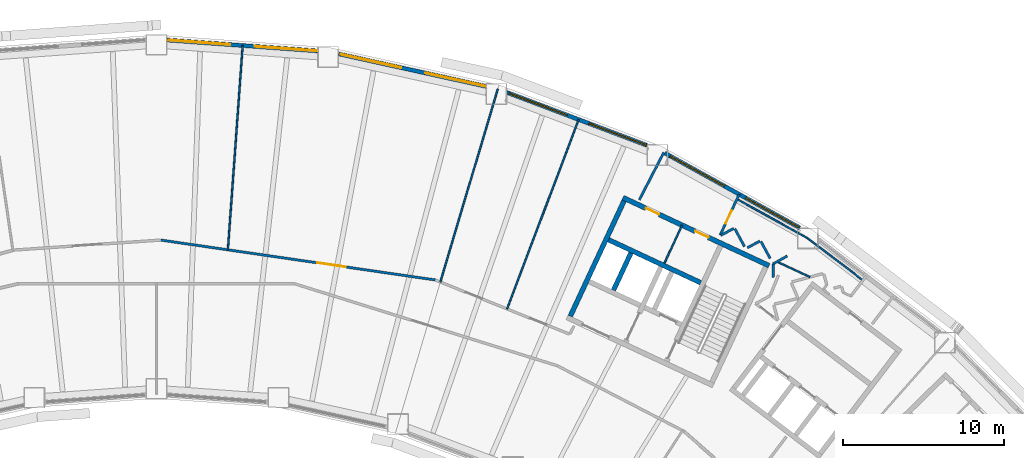
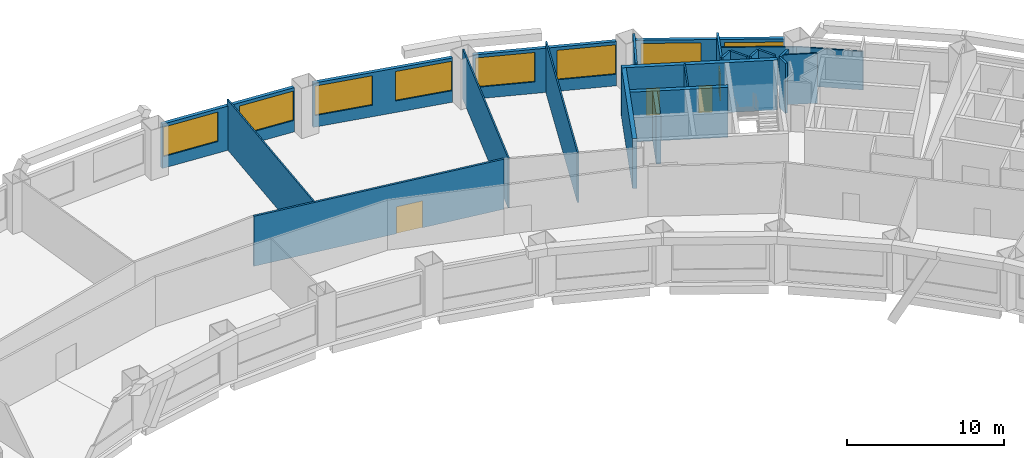
# One storey, part 8 of 11: 24 walls, 8 windows, 4 doors, 12 openings.
"""IFC4 building model written with IfcOpenShell, lengths in metres."""

from ifc_helpers import new_model, si_unit, direction, frame, frame_2d, origin, place, context, subcontext, project, spatial, rectangle, extrude, material, layer, layer_set, type_object, element, fill, save


model = new_model("IFC4")

# Units and contexts
model_context = context("Model", 3, precision=1e-05, world=origin(), true_north=direction((0.0, 1.0)))
body_context = subcontext(model_context, "Body", "Model", "MODEL_VIEW")
ifc_project = project(units=[si_unit("LENGTHUNIT", "METRE"), si_unit("AREAUNIT", "SQUARE_METRE"), si_unit("VOLUMEUNIT", "CUBIC_METRE"), si_unit("PLANEANGLEUNIT", "RADIAN"), si_unit("MASSUNIT", "GRAM", prefix="KILO")], contexts=[model_context])

# Site, building, storey
site_placement = place(None, origin())
site = spatial("IfcSite", under=ifc_project, at=site_placement, CompositionType="ELEMENT")
building_placement = place(site_placement, origin())
building = spatial("IfcBuilding", under=site, at=building_placement, Name="Tuul Gate Civic Tower", CompositionType="ELEMENT")
storey_placement = place(building_placement, frame((0.0, 0.0, 35.699951171875)))
storey = spatial("IfcBuildingStorey", under=building, at=storey_placement, Name="Level 07", CompositionType="ELEMENT", Elevation=35.699951171875)

# Wall
ifc_material_1 = material(Name="Concrete C50/60", Category="concrete")
ifc_layer_1 = layer(ifc_material_1, 0.300048828125)
ifc_layer_set_1 = layer_set([ifc_layer_1], Name="Concrete C50/60")
wall_type_1 = type_object("IfcWallType", Name="Core wall C50/60", PredefinedType="SHEAR", material=ifc_layer_set_1)
wall_1_placement = place(storey_placement, frame((33.75, -0.873779296875, 0.0), z_axis=(0.0, 0.0, 1.0), x_axis=(-0.906300917592, 0.422632992999, 0.0)))
element("IfcWall", 1, at=wall_1_placement, inside=storey, type_object=wall_type_1, Name="Core wall", PredefinedType="SHEAR", context=body_context, shape_type="SweptSolid", body=[
    extrude(rectangle(XDim=6.300048828125, YDim=0.300048828125, at=frame_2d((3.14990234375, 0.0))), origin(), (0.0, 0.0, 1.0), 3.900146484375),
])

# Wall, openings, doors
wall_2_placement = place(storey_placement, frame((37.993408203125, 0.181884765625, 0.0), z_axis=(0.0, 0.0, 1.0), x_axis=(-0.906310338845, 0.422612789327, 0.0)))
wall_2 = element("IfcWall", 2, at=wall_2_placement, inside=storey, type_object=wall_type_1, Name="Core wall", PredefinedType="SHEAR", context=body_context, shape_type="SweptSolid", body=[
    extrude(rectangle(XDim=9.999755859375, YDim=0.300048828125, at=frame_2d((5.0, 0.0))), origin(), (0.0, 0.0, 1.0), 3.900146484375),
])
opening_1_placement = place(wall_2_placement, frame((4.14990234375, 0.0, 0.0)))
opening_1 = element("IfcOpeningElement", 3, at=opening_1_placement, cuts=wall_2, Name="Opening A-D24", PredefinedType="OPENING", context=body_context, shape_type="SweptSolid", body=[
    extrude(rectangle(XDim=0.89990234375, YDim=2.10009765625, at=frame_2d((0.449951171875, 1.050048828125))), frame((0.0, 0.16015625, 0.0), z_axis=(0.0, -1.0, 0.0), x_axis=(1.0, 0.0, 0.0)), (0.0, 0.0, 1.0), 0.320068359375),
])
opening_2_placement = place(wall_2_placement, frame((7.52490234375, 0.0, 0.0)))
opening_2 = element("IfcOpeningElement", 4, at=opening_2_placement, cuts=wall_2, Name="Opening A-D25", PredefinedType="OPENING", context=body_context, shape_type="SweptSolid", body=[
    extrude(rectangle(XDim=0.89990234375, YDim=2.10009765625, at=frame_2d((0.449951171875, 1.050048828125))), frame((0.0, 0.16015625, 0.0), z_axis=(0.0, -1.0, 0.0), x_axis=(1.0, 0.0, 0.0)), (0.0, 0.0, 1.0), 0.320068359375),
])
ifc_material_2 = material(Name="Timber door leaf", Category="wood")
door_type_1 = type_object("IfcDoorType", Name="Door D09", OperationType="NOTDEFINED", PredefinedType="DOOR", material=ifc_material_2)
door_1_placement = place(opening_1_placement, origin())
door_1 = element("IfcDoor", 5, at=door_1_placement, inside=storey, type_object=door_type_1, Name="Door A-D24", OperationType="SINGLE_SWING_LEFT", OverallHeight=2.10009765625, OverallWidth=0.89990234375, PredefinedType="DOOR", context=body_context, shape_type="SweptSolid", body=[
    extrude(rectangle(XDim=0.89990234375, YDim=2.10009765625, at=frame_2d((0.449951171875, 1.050048828125))), frame((0.0, 0.02490234375, 0.0), z_axis=(0.0, -1.0, 0.0), x_axis=(1.0, 0.0, 0.0)), (0.0, 0.0, 1.0), 0.050048828125),
])
fill(opening_1, door_1)
door_2_placement = place(opening_2_placement, origin())
door_2 = element("IfcDoor", 6, at=door_2_placement, inside=storey, type_object=door_type_1, Name="Door A-D25", OperationType="SINGLE_SWING_RIGHT", OverallHeight=2.10009765625, OverallWidth=0.89990234375, PredefinedType="DOOR", context=body_context, shape_type="SweptSolid", body=[
    extrude(rectangle(XDim=0.89990234375, YDim=2.10009765625, at=frame_2d((0.449951171875, 1.050048828125))), frame((0.0, 0.02490234375, 0.0), z_axis=(0.0, -1.0, 0.0), x_axis=(1.0, 0.0, 0.0)), (0.0, 0.0, 1.0), 0.050048828125),
])
fill(opening_2, door_2)

# Walls
wall_3_placement = place(storey_placement, frame((28.349365234375, -1.33447265625, 0.0), z_axis=(0.0, 0.0, 1.0), x_axis=(0.422612891016, 0.906310291427, 0.0)))
element("IfcWall", 7, at=wall_3_placement, inside=storey, type_object=wall_type_1, Name="Core wall", PredefinedType="SHEAR", context=body_context, shape_type="SweptSolid", body=[
    extrude(rectangle(XDim=2.550048828125, YDim=0.300048828125, at=frame_2d((1.27490234375, 0.0))), origin(), (0.0, 0.0, 1.0), 3.900146484375),
])
wall_4_placement = place(storey_placement, frame((25.66455078125, -2.951416015625, 0.0), z_axis=(0.0, 0.0, 1.0), x_axis=(0.422582604137, 0.906324413596, 0.0)))
element("IfcWall", 8, at=wall_4_placement, inside=storey, type_object=wall_type_1, Name="Core wall", PredefinedType="SHEAR", context=body_context, shape_type="SweptSolid", body=[
    extrude(rectangle(XDim=7.89990234375, YDim=0.300048828125, at=frame_2d((3.949951171875, 0.0))), origin(), (0.0, 0.0, 1.0), 3.900146484375),
])
ifc_material_3 = material(Name="Gypsum board partition")
ifc_layer_2 = layer(ifc_material_3, 0.14990234375)
ifc_layer_set_2 = layer_set([ifc_layer_2], Name="Gypsum board partition")
wall_type_2 = type_object("IfcWallType", Name="Corridor wall P150", PredefinedType="PARTITIONING", material=ifc_layer_set_2)
wall_5_placement = place(storey_placement, frame((38.24365234375, 0.294189453125, 0.0), z_axis=(0.0, 0.0, 1.0), x_axis=(0.872634875063, 0.488373192163, 0.0)))
element("IfcWall", 9, at=wall_5_placement, inside=storey, type_object=wall_type_2, Name="p017", PredefinedType="PARTITIONING", context=body_context, shape_type="SweptSolid", body=[
    extrude(rectangle(XDim=1.001220703125, YDim=0.14990234375, at=frame_2d((0.50048828125, 0.0))), origin(), (0.0, 0.0, 1.0), 3.900146484375),
])
wall_6_placement = place(storey_placement, frame((37.488525390625, 1.689208984375, 0.0), z_axis=(0.0, 0.0, 1.0), x_axis=(0.476165599741, -0.879355628641, 0.0)))
element("IfcWall", 10, at=wall_6_placement, inside=storey, type_object=wall_type_2, Name="p019", PredefinedType="PARTITIONING", context=body_context, shape_type="SweptSolid", body=[
    extrude(rectangle(XDim=1.204345703125, YDim=0.14990234375, at=frame_2d((0.60205078125, 0.0))), origin(), (0.0, 0.0, 1.0), 3.900146484375),
])
wall_7_placement = place(storey_placement, frame((38.24365234375, 0.294189453125, 0.0), z_axis=(0.0, 0.0, 1.0), x_axis=(0.007667129397, -0.999970607131, 0.0)))
element("IfcWall", 11, at=wall_7_placement, inside=storey, type_object=wall_type_2, Name="p020", PredefinedType="PARTITIONING", context=body_context, shape_type="SweptSolid", body=[
    extrude(rectangle(XDim=0.827880859375, YDim=0.14990234375, at=frame_2d((0.4140625, 0.0))), origin(), (0.0, 0.0, 1.0), 3.900146484375),
])
wall_8_placement = place(storey_placement, frame((36.645751953125, 1.29052734375, 0.0), z_axis=(0.0, 0.0, 1.0), x_axis=(0.879490194501, 0.475917007236, 0.0)))
element("IfcWall", 12, at=wall_8_placement, inside=storey, type_object=wall_type_2, Name="p021", PredefinedType="PARTITIONING", context=body_context, shape_type="SweptSolid", body=[
    extrude(rectangle(XDim=0.880859375, YDim=0.14990234375, at=frame_2d((0.4404296875, 0.0))), origin(), (0.0, 0.0, 1.0), 3.900146484375),
])
wall_9_placement = place(storey_placement, frame((35.87109375, 2.476806640625, 0.0), z_axis=(0.0, 0.0, 1.0), x_axis=(0.475121766524, -0.87992005715, 0.0)))
element("IfcWall", 13, at=wall_9_placement, inside=storey, type_object=wall_type_2, Name="p022", PredefinedType="PARTITIONING", context=body_context, shape_type="SweptSolid", body=[
    extrude(rectangle(XDim=1.253173828125, YDim=0.14990234375, at=frame_2d((0.62646484375, 0.0))), origin(), (0.0, 0.0, 1.0), 3.900146484375),
])
wall_10_placement = place(storey_placement, frame((34.99462890625, 2.060546875, 0.0), z_axis=(0.0, 0.0, 1.0), x_axis=(0.879787612681, 0.475366970428, 0.0)))
element("IfcWall", 14, at=wall_10_placement, inside=storey, type_object=wall_type_2, Name="p024", PredefinedType="PARTITIONING", context=body_context, shape_type="SweptSolid", body=[
    extrude(rectangle(XDim=0.918701171875, YDim=0.14990234375, at=frame_2d((0.45947265625, 0.0))), origin(), (0.0, 0.0, 1.0), 3.900146484375),
])

# Wall, opening, door
wall_11_placement = place(storey_placement, frame((34.96435546875, 2.085693359375, 0.0), z_axis=(0.0, 0.0, 1.0), x_axis=(0.422684240574, 0.906277017678, 0.0)))
wall_11 = element("IfcWall", 15, at=wall_11_placement, inside=storey, type_object=wall_type_2, Name="p025", PredefinedType="PARTITIONING", context=body_context, shape_type="SweptSolid", body=[
    extrude(rectangle(XDim=2.789794921875, YDim=0.14990234375, at=frame_2d((1.39501953125, 0.0))), origin(), (0.0, 0.0, 1.0), 3.900146484375),
])
opening_3_placement = place(wall_11_placement, frame((0.779052734375, 0.0, 0.0)))
opening_3 = element("IfcOpeningElement", 16, at=opening_3_placement, cuts=wall_11, Name="Opening A-D03", PredefinedType="OPENING", context=body_context, shape_type="SweptSolid", body=[
    extrude(rectangle(XDim=0.89990234375, YDim=2.10009765625, at=frame_2d((0.449951171875, 1.050048828125))), frame((0.0, 0.0849609375, 0.0), z_axis=(0.0, -1.0, 0.0), x_axis=(1.0, 0.0, 0.0)), (0.0, 0.0, 1.0), 0.169921875),
])
door_3_placement = place(opening_3_placement, frame((0.89990234375, 0.0, 0.0), z_axis=(0.0, 0.0, 1.0), x_axis=(-1.0, 0.0, 0.0)))
door_3 = element("IfcDoor", 17, at=door_3_placement, inside=storey, type_object=door_type_1, Name="Door A-D03", OperationType="SINGLE_SWING_RIGHT", OverallHeight=2.10009765625, OverallWidth=0.89990234375, PredefinedType="DOOR", context=body_context, shape_type="SweptSolid", body=[
    extrude(rectangle(XDim=0.89990234375, YDim=2.10009765625, at=frame_2d((0.449951171875, 1.050048828125))), frame((0.0, 0.02490234375, 0.0), z_axis=(0.0, -1.0, 0.0), x_axis=(1.0, 0.0, 0.0)), (0.0, 0.0, 1.0), 0.050048828125),
])
fill(opening_3, door_3)

# Wall
wall_12_placement = place(storey_placement, frame((29.946044921875, 4.2666015625, 0.0), z_axis=(0.0, 0.0, 1.0), x_axis=(0.459621571137, 0.888114863824, 0.0)))
element("IfcWall", 18, at=wall_12_placement, inside=storey, type_object=wall_type_2, Name="p030", PredefinedType="PARTITIONING", context=body_context, shape_type="SweptSolid", body=[
    extrude(rectangle(XDim=3.309814453125, YDim=0.14990234375, at=frame_2d((1.65478515625, 0.0))), origin(), (0.0, 0.0, 1.0), 3.900146484375),
])

# Wall, opening, door
wall_13_placement = place(storey_placement, frame((0.26708984375, 1.7724609375, 0.0), z_axis=(0.0, 0.0, 1.0), x_axis=(0.989607418225, -0.143795541637, 0.0)))
wall_13 = element("IfcWall", 19, at=wall_13_placement, inside=storey, type_object=wall_type_2, Name="p034", PredefinedType="PARTITIONING", context=body_context, shape_type="SweptSolid", body=[
    extrude(rectangle(XDim=17.20068359375, YDim=0.14990234375, at=frame_2d((8.600341796875, 0.0))), origin(), (0.0, 0.0, 1.0), 3.900146484375),
])
opening_4_placement = place(wall_13_placement, frame((9.80419921875, 0.0, 0.0)))
opening_4 = element("IfcOpeningElement", 20, at=opening_4_placement, cuts=wall_13, Name="Opening A-D06", PredefinedType="OPENING", context=body_context, shape_type="SweptSolid", body=[
    extrude(rectangle(XDim=1.800048828125, YDim=2.10009765625, at=frame_2d((0.89990234375, 1.050048828125))), frame((0.0, 0.0849609375, 0.0), z_axis=(0.0, -1.0, 0.0), x_axis=(1.0, 0.0, 0.0)), (0.0, 0.0, 1.0), 0.169921875),
])
ifc_material_4 = material(Name="Timber door leaf, double", Category="wood")
door_type_2 = type_object("IfcDoorType", Name="Door D18", OperationType="DOUBLE_DOOR_SINGLE_SWING", PredefinedType="DOOR", material=ifc_material_4)
door_4_placement = place(opening_4_placement, origin())
door_4 = element("IfcDoor", 21, at=door_4_placement, inside=storey, type_object=door_type_2, Name="Door A-D06", OperationType="DOUBLE_DOOR_SINGLE_SWING", OverallHeight=2.10009765625, OverallWidth=1.800048828125, PredefinedType="DOOR", context=body_context, shape_type="SweptSolid", body=[
    extrude(rectangle(XDim=1.800048828125, YDim=2.10009765625, at=frame_2d((0.89990234375, 1.050048828125))), frame((0.0, 0.02490234375, 0.0), z_axis=(0.0, -1.0, 0.0), x_axis=(1.0, 0.0, 0.0)), (0.0, 0.0, 1.0), 0.050048828125),
])
fill(opening_4, door_4)

# Wall, openings, windows
ifc_material_5 = material(Name="Precast concrete C40/50", Category="concrete")
ifc_layer_3 = layer(ifc_material_5, 0.25)
ifc_layer_set_3 = layer_set([ifc_layer_3], Name="Precast concrete C40/50")
wall_type_3 = type_object("IfcWallType", Name="External wall", PredefinedType="STANDARD", material=ifc_layer_set_3)
wall_14_placement = place(storey_placement, frame((39.900390625, 2.52587890625, 0.0), z_axis=(0.0, 0.0, 1.0), x_axis=(-0.874628609166, 0.484793560217, 0.0)))
wall_14 = element("IfcWall", 22, at=wall_14_placement, inside=storey, type_object=wall_type_3, Name="External wall", PredefinedType="STANDARD", context=body_context, shape_type="SweptSolid", body=[
    extrude(rectangle(XDim=9.5693359375, YDim=0.25, at=frame_2d((4.78466796875, 0.0))), origin(), (0.0, 0.0, 1.0), 3.449951171875),
])
opening_5_placement = place(wall_14_placement, frame((0.092041015625, 0.0, 0.89990234375)))
opening_5 = element("IfcOpeningElement", 23, at=opening_5_placement, cuts=wall_14, Name="Opening W99", PredefinedType="OPENING", context=body_context, shape_type="SweptSolid", body=[
    extrude(rectangle(XDim=3.75, YDim=2.300048828125, at=frame_2d((1.875, 1.14990234375))), frame((0.0, 0.135009765625, 0.0), z_axis=(0.0, -1.0, 0.0), x_axis=(1.0, 0.0, 0.0)), (0.0, 0.0, 1.0), 0.27001953125),
])
opening_6_placement = place(wall_14_placement, frame((5.345458984375, 0.0, 0.89990234375)))
opening_6 = element("IfcOpeningElement", 24, at=opening_6_placement, cuts=wall_14, Name="Opening W22", PredefinedType="OPENING", context=body_context, shape_type="SweptSolid", body=[
    extrude(rectangle(XDim=3.85009765625, YDim=2.300048828125, at=frame_2d((1.925048828125, 1.14990234375))), frame((0.0, 0.135009765625, 0.0), z_axis=(0.0, -1.0, 0.0), x_axis=(1.0, 0.0, 0.0)), (0.0, 0.0, 1.0), 0.27001953125),
])
ifc_material_6 = material(Name="Glass", Category="glass")
window_type_1 = type_object("IfcWindowType", Name="Window W22 3850 x 2300", PartitioningType="SINGLE_PANEL", PredefinedType="WINDOW", material=ifc_material_6)
window_1_placement = place(opening_6_placement, origin())
window_1 = element("IfcWindow", 25, at=window_1_placement, inside=storey, type_object=window_type_1, Name="Window", OverallHeight=2.300048828125, OverallWidth=3.85009765625, PartitioningType="SINGLE_PANEL", PredefinedType="WINDOW", context=body_context, shape_type="SweptSolid", body=[
    extrude(rectangle(XDim=3.85009765625, YDim=2.300048828125, at=frame_2d((1.925048828125, 1.14990234375))), frame((0.0, 0.030029296875, 0.0), z_axis=(0.0, -1.0, 0.0), x_axis=(1.0, 0.0, 0.0)), (0.0, 0.0, 1.0), 0.06005859375),
])
fill(opening_6, window_1)
ifc_material_7 = material(Name="Glass", Category="glass")
window_type_2 = type_object("IfcWindowType", Name="Window W99 3750 x 2300", PartitioningType="SINGLE_PANEL", PredefinedType="WINDOW", material=ifc_material_7)
window_2_placement = place(opening_5_placement, origin())
window_2 = element("IfcWindow", 26, at=window_2_placement, inside=storey, type_object=window_type_2, Name="Window", OverallHeight=2.300048828125, OverallWidth=3.75, PartitioningType="SINGLE_PANEL", PredefinedType="WINDOW", context=body_context, shape_type="SweptSolid", body=[
    extrude(rectangle(XDim=3.75, YDim=2.300048828125, at=frame_2d((1.875, 1.14990234375))), frame((0.0, 0.030029296875, 0.0), z_axis=(0.0, -1.0, 0.0), x_axis=(1.0, 0.0, 0.0)), (0.0, 0.0, 1.0), 0.06005859375),
])
fill(opening_5, window_2)

wall_15_placement = place(storey_placement, frame((30.4140625, 7.6455078125, 0.0), z_axis=(0.0, 0.0, 1.0), x_axis=(-0.93537723485, 0.353651563724, 0.0)))
wall_15 = element("IfcWall", 27, at=wall_15_placement, inside=storey, type_object=wall_type_3, Name="External wall", PredefinedType="STANDARD", context=body_context, shape_type="SweptSolid", body=[
    extrude(rectangle(XDim=9.287109375, YDim=0.25, at=frame_2d((4.6435546875, 0.0))), origin(), (0.0, 0.0, 1.0), 3.449951171875),
])
opening_7_placement = place(wall_15_placement, frame((0.0458984375, 0.0, 0.89990234375)))
opening_7 = element("IfcOpeningElement", 28, at=opening_7_placement, cuts=wall_15, Name="Opening W100", PredefinedType="OPENING", context=body_context, shape_type="SweptSolid", body=[
    extrude(rectangle(XDim=3.800048828125, YDim=2.300048828125, at=frame_2d((1.89990234375, 1.14990234375))), frame((0.0, 0.135009765625, 0.0), z_axis=(0.0, -1.0, 0.0), x_axis=(1.0, 0.0, 0.0)), (0.0, 0.0, 1.0), 0.27001953125),
])
opening_8_placement = place(wall_15_placement, frame((5.281982421875, 0.0, 0.89990234375)))
opening_8 = element("IfcOpeningElement", 29, at=opening_8_placement, cuts=wall_15, Name="Opening W22", PredefinedType="OPENING", context=body_context, shape_type="SweptSolid", body=[
    extrude(rectangle(XDim=3.85009765625, YDim=2.300048828125, at=frame_2d((1.925048828125, 1.14990234375))), frame((0.0, 0.135009765625, 0.0), z_axis=(0.0, -1.0, 0.0), x_axis=(1.0, 0.0, 0.0)), (0.0, 0.0, 1.0), 0.27001953125),
])
ifc_material_8 = material(Name="Glass", Category="glass")
window_type_3 = type_object("IfcWindowType", Name="Window W100 3800 x 2300", PartitioningType="SINGLE_PANEL", PredefinedType="WINDOW", material=ifc_material_8)
window_3_placement = place(opening_7_placement, origin())
window_3 = element("IfcWindow", 30, at=window_3_placement, inside=storey, type_object=window_type_3, Name="Window", OverallHeight=2.300048828125, OverallWidth=3.800048828125, PartitioningType="SINGLE_PANEL", PredefinedType="WINDOW", context=body_context, shape_type="SweptSolid", body=[
    extrude(rectangle(XDim=3.800048828125, YDim=2.300048828125, at=frame_2d((1.89990234375, 1.14990234375))), frame((0.0, 0.030029296875, 0.0), z_axis=(0.0, -1.0, 0.0), x_axis=(1.0, 0.0, 0.0)), (0.0, 0.0, 1.0), 0.06005859375),
])
fill(opening_7, window_3)
window_4_placement = place(opening_8_placement, origin())
window_4 = element("IfcWindow", 31, at=window_4_placement, inside=storey, type_object=window_type_1, Name="Window", OverallHeight=2.300048828125, OverallWidth=3.85009765625, PartitioningType="SINGLE_PANEL", PredefinedType="WINDOW", context=body_context, shape_type="SweptSolid", body=[
    extrude(rectangle(XDim=3.85009765625, YDim=2.300048828125, at=frame_2d((1.925048828125, 1.14990234375))), frame((0.0, 0.030029296875, 0.0), z_axis=(0.0, -1.0, 0.0), x_axis=(1.0, 0.0, 0.0)), (0.0, 0.0, 1.0), 0.06005859375),
])
fill(opening_8, window_4)

wall_16_placement = place(storey_placement, frame((20.427001953125, 11.304443359375, 0.0), z_axis=(0.0, 0.0, 1.0), x_axis=(-0.97654219172, 0.215326142841, 0.0)))
wall_16 = element("IfcWall", 32, at=wall_16_placement, inside=storey, type_object=wall_type_3, Name="External wall", PredefinedType="STANDARD", context=body_context, shape_type="SweptSolid", body=[
    extrude(rectangle(XDim=9.34716796875, YDim=0.25, at=frame_2d((4.673583984375, 0.0))), origin(), (0.0, 0.0, 1.0), 3.449951171875),
])
opening_9_placement = place(wall_16_placement, frame((0.04296875, 0.0, 0.89990234375)))
opening_9 = element("IfcOpeningElement", 33, at=opening_9_placement, cuts=wall_16, Name="Opening W100", PredefinedType="OPENING", context=body_context, shape_type="SweptSolid", body=[
    extrude(rectangle(XDim=3.800048828125, YDim=2.300048828125, at=frame_2d((1.89990234375, 1.14990234375))), frame((0.0, 0.135009765625, 0.0), z_axis=(0.0, -1.0, 0.0), x_axis=(1.0, 0.0, 0.0)), (0.0, 0.0, 1.0), 0.27001953125),
])
opening_10_placement = place(wall_16_placement, frame((5.363037109375, 0.0, 0.89990234375)))
opening_10 = element("IfcOpeningElement", 34, at=opening_10_placement, cuts=wall_16, Name="Opening W22", PredefinedType="OPENING", context=body_context, shape_type="SweptSolid", body=[
    extrude(rectangle(XDim=3.85009765625, YDim=2.300048828125, at=frame_2d((1.925048828125, 1.14990234375))), frame((0.0, 0.135009765625, 0.0), z_axis=(0.0, -1.0, 0.0), x_axis=(1.0, 0.0, 0.0)), (0.0, 0.0, 1.0), 0.27001953125),
])
window_5_placement = place(opening_9_placement, origin())
window_5 = element("IfcWindow", 35, at=window_5_placement, inside=storey, type_object=window_type_3, Name="Window", OverallHeight=2.300048828125, OverallWidth=3.800048828125, PartitioningType="SINGLE_PANEL", PredefinedType="WINDOW", context=body_context, shape_type="SweptSolid", body=[
    extrude(rectangle(XDim=3.800048828125, YDim=2.300048828125, at=frame_2d((1.89990234375, 1.14990234375))), frame((0.0, 0.030029296875, 0.0), z_axis=(0.0, -1.0, 0.0), x_axis=(1.0, 0.0, 0.0)), (0.0, 0.0, 1.0), 0.06005859375),
])
fill(opening_9, window_5)
window_6_placement = place(opening_10_placement, origin())
window_6 = element("IfcWindow", 36, at=window_6_placement, inside=storey, type_object=window_type_1, Name="Window", OverallHeight=2.300048828125, OverallWidth=3.85009765625, PartitioningType="SINGLE_PANEL", PredefinedType="WINDOW", context=body_context, shape_type="SweptSolid", body=[
    extrude(rectangle(XDim=3.85009765625, YDim=2.300048828125, at=frame_2d((1.925048828125, 1.14990234375))), frame((0.0, 0.030029296875, 0.0), z_axis=(0.0, -1.0, 0.0), x_axis=(1.0, 0.0, 0.0)), (0.0, 0.0, 1.0), 0.06005859375),
])
fill(opening_10, window_6)

wall_17_placement = place(storey_placement, frame((9.9990234375, 13.50048828125, 0.0), z_axis=(0.0, 0.0, 1.0), x_axis=(-0.997388413682, 0.072224318983, 0.0)))
wall_17 = element("IfcWall", 37, at=wall_17_placement, inside=storey, type_object=wall_type_3, Name="External wall", PredefinedType="STANDARD", context=body_context, shape_type="SweptSolid", body=[
    extrude(rectangle(XDim=9.37353515625, YDim=0.25, at=frame_2d((4.686767578125, 0.0))), origin(), (0.0, 0.0, 1.0), 3.449951171875),
])
opening_11_placement = place(wall_17_placement, frame((0.052734375, 0.0, 0.89990234375)))
opening_11 = element("IfcOpeningElement", 38, at=opening_11_placement, cuts=wall_17, Name="Opening W22", PredefinedType="OPENING", context=body_context, shape_type="SweptSolid", body=[
    extrude(rectangle(XDim=3.85009765625, YDim=2.300048828125, at=frame_2d((1.925048828125, 1.14990234375))), frame((0.0, 0.135009765625, 0.0), z_axis=(0.0, -1.0, 0.0), x_axis=(1.0, 0.0, 0.0)), (0.0, 0.0, 1.0), 0.27001953125),
])
opening_12_placement = place(wall_17_placement, frame((5.423828125, 0.0, 0.89990234375)))
opening_12 = element("IfcOpeningElement", 39, at=opening_12_placement, cuts=wall_17, Name="Opening W22", PredefinedType="OPENING", context=body_context, shape_type="SweptSolid", body=[
    extrude(rectangle(XDim=3.85009765625, YDim=2.300048828125, at=frame_2d((1.925048828125, 1.14990234375))), frame((0.0, 0.135009765625, 0.0), z_axis=(0.0, -1.0, 0.0), x_axis=(1.0, 0.0, 0.0)), (0.0, 0.0, 1.0), 0.27001953125),
])
window_7_placement = place(opening_11_placement, origin())
window_7 = element("IfcWindow", 40, at=window_7_placement, inside=storey, type_object=window_type_1, Name="Window", OverallHeight=2.300048828125, OverallWidth=3.85009765625, PartitioningType="SINGLE_PANEL", PredefinedType="WINDOW", context=body_context, shape_type="SweptSolid", body=[
    extrude(rectangle(XDim=3.85009765625, YDim=2.300048828125, at=frame_2d((1.925048828125, 1.14990234375))), frame((0.0, 0.030029296875, 0.0), z_axis=(0.0, -1.0, 0.0), x_axis=(1.0, 0.0, 0.0)), (0.0, 0.0, 1.0), 0.06005859375),
])
fill(opening_11, window_7)
window_8_placement = place(opening_12_placement, origin())
window_8 = element("IfcWindow", 41, at=window_8_placement, inside=storey, type_object=window_type_1, Name="Window", OverallHeight=2.300048828125, OverallWidth=3.85009765625, PartitioningType="SINGLE_PANEL", PredefinedType="WINDOW", context=body_context, shape_type="SweptSolid", body=[
    extrude(rectangle(XDim=3.85009765625, YDim=2.300048828125, at=frame_2d((1.925048828125, 1.14990234375))), frame((0.0, 0.030029296875, 0.0), z_axis=(0.0, -1.0, 0.0), x_axis=(1.0, 0.0, 0.0)), (0.0, 0.0, 1.0), 0.06005859375),
])
fill(opening_12, window_8)

# Walls
ifc_material_9 = material(Name="Gypsum board partition")
ifc_layer_4 = layer(ifc_material_9, 0.10009765625)
ifc_layer_set_4 = layer_set([ifc_layer_4], Name="Gypsum board partition")
wall_type_4 = type_object("IfcWallType", Name="Partition P100", PredefinedType="PARTITIONING", material=ifc_layer_set_4)
wall_18_placement = place(storey_placement, frame((38.48828125, 0.43115234375, 0.0), z_axis=(0.0, 0.0, 1.0), x_axis=(0.906335322798, -0.422559206086, 0.0)))
element("IfcWall", 42, at=wall_18_placement, inside=storey, type_object=wall_type_4, Name="p027", PredefinedType="PARTITIONING", context=body_context, shape_type="SweptSolid", body=[
    extrude(rectangle(XDim=2.253173828125, YDim=0.10009765625, at=frame_2d((1.12646484375, 0.0))), origin(), (0.0, 0.0, 1.0), 3.900146484375),
])
wall_19_placement = place(storey_placement, frame((21.743896484375, -2.49951171875, 0.0), z_axis=(0.0, 0.0, 1.0), x_axis=(0.353710117954, 0.935355094313, 0.0)))
element("IfcWall", 43, at=wall_19_placement, inside=storey, type_object=wall_type_4, Name="p028", PredefinedType="PARTITIONING", context=body_context, shape_type="SweptSolid", body=[
    extrude(rectangle(XDim=12.560791015625, YDim=0.10009765625, at=frame_2d((6.2802734375, 0.0))), origin(), (0.0, 0.0, 1.0), 3.900146484375),
])
wall_20_placement = place(storey_placement, frame((17.607421875, -0.829345703125, 0.0), z_axis=(0.0, 0.0, 1.0), x_axis=(0.285219188741, 0.95846231766, 0.0)))
element("IfcWall", 44, at=wall_20_placement, inside=storey, type_object=wall_type_4, Name="p032", PredefinedType="PARTITIONING", context=body_context, shape_type="SweptSolid", body=[
    extrude(rectangle(XDim=12.493896484375, YDim=0.10009765625, at=frame_2d((6.2470703125, 0.0))), origin(), (0.0, 0.0, 1.0), 3.900146484375),
])
wall_21_placement = place(storey_placement, frame((4.430419921875, 1.16748046875, 0.0), z_axis=(0.0, 0.0, 1.0), x_axis=(0.072254595432, 0.997386220799, 0.0)))
element("IfcWall", 45, at=wall_21_placement, inside=storey, type_object=wall_type_4, Name="p033", PredefinedType="PARTITIONING", context=body_context, shape_type="SweptSolid", body=[
    extrude(rectangle(XDim=12.7080078125, YDim=0.10009765625, at=frame_2d((6.35400390625, 0.0))), origin(), (0.0, 0.0, 1.0), 3.900146484375),
])
wall_22_placement = place(storey_placement, frame((31.502197265625, 0.33984375, 0.0), z_axis=(0.0, 0.0, 1.0), x_axis=(0.422556439746, 0.906336612539, 0.0)))
element("IfcWall", 46, at=wall_22_placement, inside=storey, type_object=wall_type_4, Name="bE3-BAND-0", PredefinedType="PARTITIONING", context=body_context, shape_type="SweptSolid", body=[
    extrude(rectangle(XDim=2.599853515625, YDim=0.10009765625, at=frame_2d((1.2998046875, 0.0))), origin(), (0.0, 0.0, 1.0), 3.900146484375),
])
ifc_material_10 = material(Name="Gypsum board partition")
ifc_layer_5 = layer(ifc_material_10, 0.10009765625)
ifc_layer_set_5 = layer_set([ifc_layer_5], Name="Gypsum board partition")
wall_type_5 = type_object("IfcWallType", Name="Partition P100 3000 HIGH", PredefinedType="PARTITIONING", material=ifc_layer_set_5)
wall_23_placement = place(storey_placement, frame((36.002685546875, 4.314697265625, 0.0), z_axis=(0.0, 0.0, 1.0), x_axis=(0.874644472178, -0.484764940243, 0.0)))
element("IfcWall", 47, at=wall_23_placement, inside=storey, type_object=wall_type_5, Name="p076", PredefinedType="PARTITIONING", context=body_context, shape_type="SweptSolid", body=[
    extrude(rectangle(XDim=5.0302734375, YDim=0.10009765625, at=frame_2d((2.51513671875, 0.0))), origin(), (0.0, 0.0, 1.0), 3.0),
])
wall_24_placement = place(storey_placement, frame((40.40234375, 1.876220703125, 0.0), z_axis=(0.0, 0.0, 1.0), x_axis=(0.795614595669, -0.605803115838, 0.0)))
element("IfcWall", 48, at=wall_24_placement, inside=storey, type_object=wall_type_5, Name="p077", PredefinedType="PARTITIONING", context=body_context, shape_type="SweptSolid", body=[
    extrude(rectangle(XDim=4.28955078125, YDim=0.10009765625, at=frame_2d((2.144775390625, 0.0))), origin(), (0.0, 0.0, 1.0), 3.0),
])

save(model, "model.ifc")
